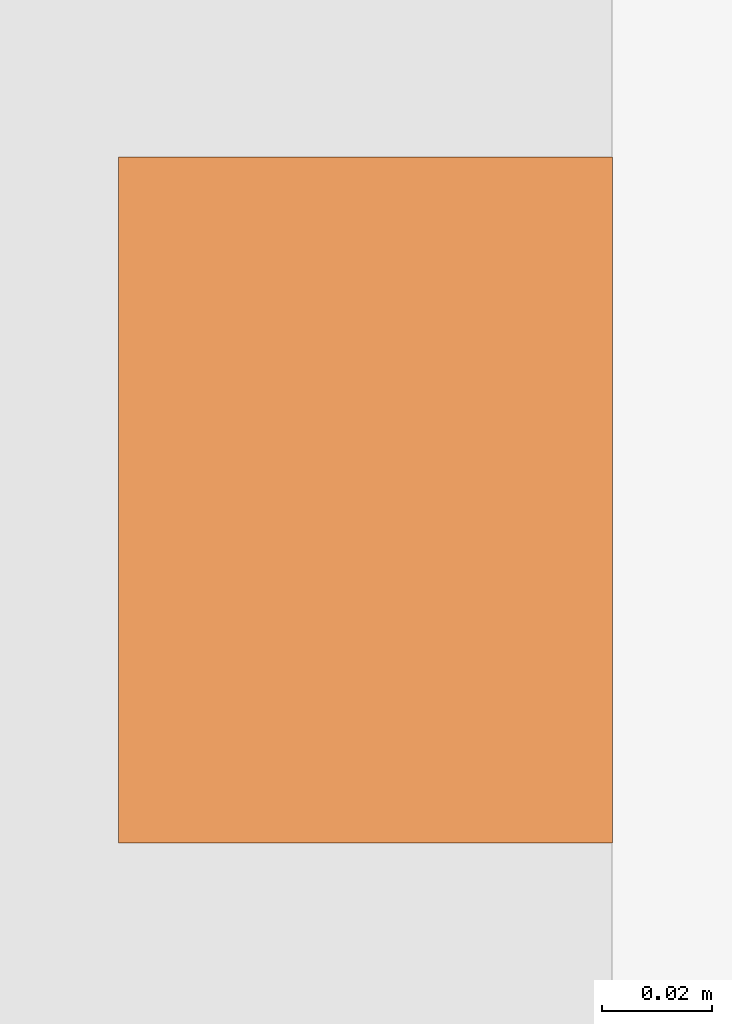
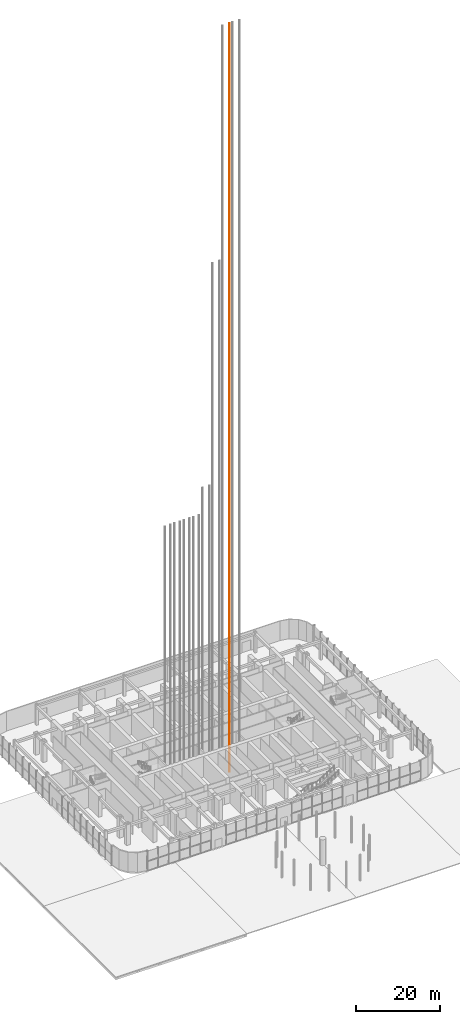
# One storey, part 55 of 57: 1 proxy.
"""IFC4 building model written with IfcOpenShell, lengths in metres."""

from ifc_helpers import new_model, si_unit, direction, frame, origin, origin_2d, place, context, subcontext, project, spatial, rectangle, extrude, material, element, save


model = new_model("IFC4")

# Units and contexts
model_context = context("Model", 3, precision=1e-05, world=origin(), true_north=direction((0.0, 1.0)))
body_context = subcontext(model_context, "Body", "Model", "MODEL_VIEW")
ifc_project = project(units=[si_unit("LENGTHUNIT", "METRE"), si_unit("AREAUNIT", "SQUARE_METRE"), si_unit("VOLUMEUNIT", "CUBIC_METRE"), si_unit("PLANEANGLEUNIT", "RADIAN"), si_unit("MASSUNIT", "GRAM", prefix="KILO")], contexts=[model_context])

# Site, building, storey
site_placement = place(None, origin())
site = spatial("IfcSite", under=ifc_project, at=site_placement, CompositionType="ELEMENT")
building_placement = place(site_placement, origin())
building = spatial("IfcBuilding", under=site, at=building_placement, Name="Orbita Commons", CompositionType="ELEMENT")
storey_placement = place(building_placement, origin())
storey = spatial("IfcBuildingStorey", under=building, at=storey_placement, Name="L00", CompositionType="ELEMENT", Elevation=0.0)

# Proxy
ifc_material = material(Name="Machined steel guide rail", Category="steel")
placement = place(storey_placement, frame((43.27490234375, 28.10009765625, 0.0), z_axis=(0.0, 0.0, 1.0), x_axis=(1.0, 0.0, 0.0)))
proxy_placement = place(placement, frame((0.955078125, 0.0, -3.199951171875)))
element("IfcBuildingElementProxy", 1, at=proxy_placement, inside=storey, material=ifc_material, Name="SH31 guide rail 2", ObjectType="GUIDE RAIL", PredefinedType="USERDEFINED", context=body_context, shape_type="SweptSolid", body=[
    extrude(rectangle(XDim=0.09, YDim=0.125, at=origin_2d()), origin(), (0.0, 0.0, 1.0), 217.0),
])

save(model, "model.ifc")
